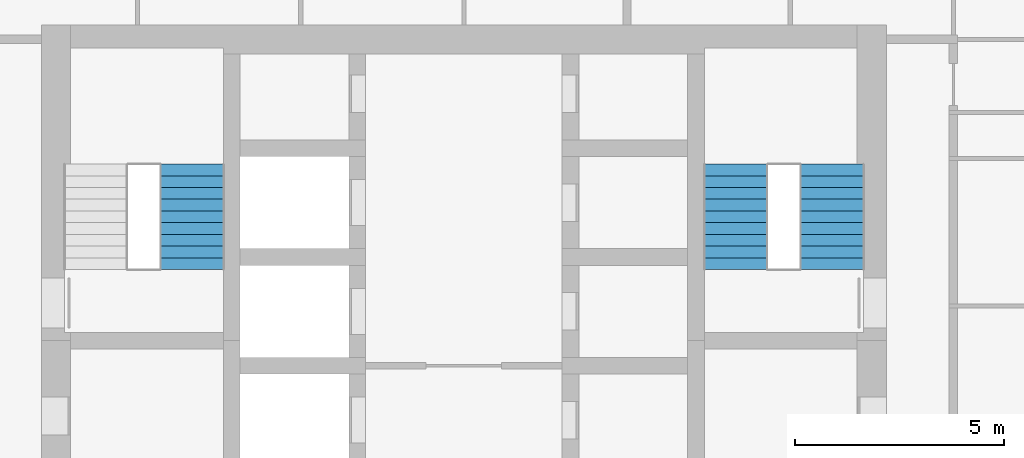
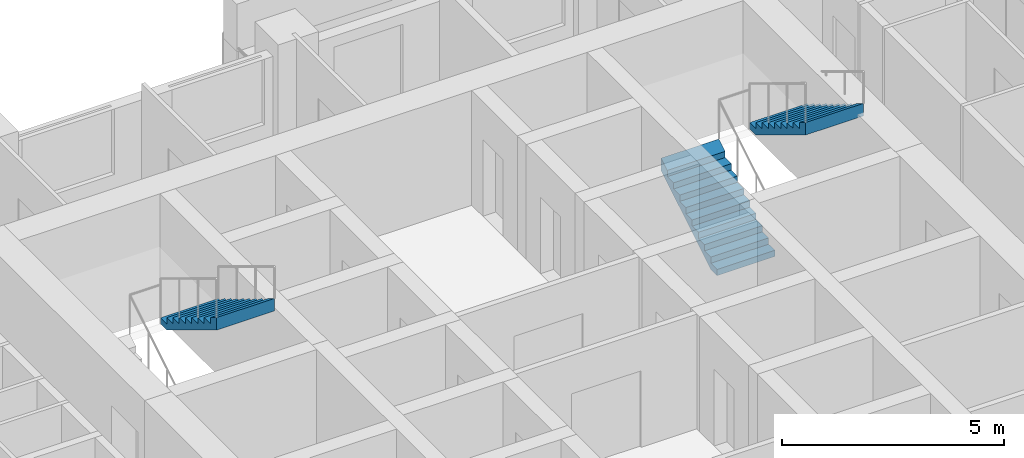
# One storey, part 16 of 18: 3 stair flights, 2 elements without a shape of their own.
"""IFC4 building model written with IfcOpenShell, lengths in metres."""

import ifcopenshell
import ifcopenshell.guid

model = None  # the IFC model being written
_history = None  # IfcOwnerHistory: only IFC2X3 demands one
_inside = {}  # id of a spatial element -> (the spatial element, [elements in it])
_under = {}  # id of a project, library or spatial element -> (it, [spatial elements below it])
_declared = {}  # id of a project -> (the project, [libraries it declares])
_typed = {}  # id of a type object -> (the type object, [elements of that type])
_made_of = {}  # id of a material, layer set ... -> (it, [elements and type objects made of it])


def new_model(schema):
    """Start an empty IFC model of exactly this schema.

    Asked for "IFC4X3", IfcOpenShell would pick the latest addendum, in which some entities
    have other attributes; the version numbers below select the first issue.
    IFC2X3 requires an IfcOwnerHistory on every rooted entity: one is made here for all.
    """
    global model, _history
    if schema == "IFC4X3":
        model = ifcopenshell.file(schema_version=(4, 3, 0, 0))
    else:
        model = ifcopenshell.file(schema=schema)
    _inside.clear()
    _under.clear()
    _declared.clear()
    _typed.clear()
    _made_of.clear()
    _history = None
    if model.schema == "IFC2X3":
        org = make("IfcOrganization", Name="unknown")
        user = make(
            "IfcPersonAndOrganization",
            ThePerson=make("IfcPerson", FamilyName="unknown"),
            TheOrganization=org,
        )
        app = make(
            "IfcApplication",
            ApplicationDeveloper=org,
            Version="unknown",
            ApplicationFullName="unknown",
            ApplicationIdentifier="unknown",
        )
        _history = make(
            "IfcOwnerHistory",
            OwningUser=user,
            OwningApplication=app,
            ChangeAction="ADDED",
            CreationDate=0,
        )
    return model


def make(cls, **values):
    """One entity of the class cls with the attributes given. An attribute that is None is left unset."""
    return model.create_entity(
        cls, **{name: value for name, value in values.items() if value is not None}
    )


def rooted(cls, **values):
    """An entity with a GlobalId (a new one), such as an element, a storey or a relation."""
    return make(cls, GlobalId=ifcopenshell.guid.new(), OwnerHistory=_history, **values)


def si_unit(unit_type, name, prefix=None):
    """IfcSIUnit, for example si_unit("LENGTHUNIT", "METRE", prefix="MILLI")."""
    return make("IfcSIUnit", UnitType=unit_type, Prefix=prefix, Name=name)


def assignment(units):
    """IfcUnitAssignment: the units of a project."""
    return None if units is None else make("IfcUnitAssignment", Units=units)


def point(xyz):
    """IfcCartesianPoint."""
    return None if xyz is None else make("IfcCartesianPoint", Coordinates=xyz)


def direction(xyz):
    """IfcDirection."""
    return None if xyz is None else make("IfcDirection", DirectionRatios=xyz)


def frame(location, z_axis=None, x_axis=None):
    """IfcAxis2Placement3D, a coordinate frame: its origin and axes. An axis left out is left unset."""
    return make(
        "IfcAxis2Placement3D",
        Location=point(location),
        Axis=direction(z_axis),
        RefDirection=direction(x_axis),
    )


def origin():
    """The frame at (0, 0, 0) with its axes left unset."""
    return frame((0.0, 0.0, 0.0))


def place(relative_to, where):
    """IfcLocalPlacement: puts the frame where relative to a parent placement (None: the world)."""
    return make(
        "IfcLocalPlacement", PlacementRelTo=relative_to, RelativePlacement=where
    )


def context(
    kind, dimensions, precision=None, world=None, true_north=None, identifier=None
):
    """IfcGeometricRepresentationContext, for example the 3D "Model" context."""
    return make(
        "IfcGeometricRepresentationContext",
        ContextIdentifier=identifier,
        ContextType=kind,
        CoordinateSpaceDimension=dimensions,
        Precision=precision,
        WorldCoordinateSystem=world,
        TrueNorth=true_north,
    )


def subcontext(parent, identifier, kind, view, scale=None):
    """IfcGeometricRepresentationSubContext, for example "Body" below "Model"."""
    return make(
        "IfcGeometricRepresentationSubContext",
        ContextIdentifier=identifier,
        ContextType=kind,
        ParentContext=parent,
        TargetScale=scale,
        TargetView=view,
    )


def project(units=None, contexts=None):
    """IfcProject with its units and contexts."""
    return rooted(
        "IfcProject",
        Name="project",
        RepresentationContexts=contexts,
        UnitsInContext=assignment(units),
    )


def spatial(cls, under=None, at=None, **own):
    """A site, building, storey or space (cls), placed at a placement, below another one or the project."""
    s = rooted(cls, ObjectPlacement=at, **own)
    if under is not None:
        _under.setdefault(under.id(), (under, []))[1].append(s)
    return s


def point_list(points):
    """IfcCartesianPointList2D or 3D."""
    cls = (
        "IfcCartesianPointList2D" if len(points[0]) == 2 else "IfcCartesianPointList3D"
    )
    return make(cls, CoordList=points)


def triangles(points, corners, closed=None, point_numbers=None):
    """IfcTriangulatedFaceSet: each triangle names its three corners, points numbered from 1."""
    return make(
        "IfcTriangulatedFaceSet",
        Coordinates=point_list(points),
        Closed=closed,
        CoordIndex=corners,
        PnIndex=point_numbers,
    )


def shape(context_of_items, identifier, shape_type, items):
    """IfcShapeRepresentation: the items that make up one representation, for example the "Body"."""
    return make(
        "IfcShapeRepresentation",
        ContextOfItems=context_of_items,
        RepresentationIdentifier=identifier,
        RepresentationType=shape_type,
        Items=items,
    )


def material(Name=None, Category=None):
    """IfcMaterial."""
    return make("IfcMaterial", Name=Name, Category=Category)


def made_of(thing, what):
    """Note that an element or type object is made of a material, layer set ...; save() writes the relation."""
    if what is not None:
        _made_of.setdefault(what.id(), (what, []))[1].append(thing)
    return thing


def type_object(cls, material=None, **own):
    """A type object (cls), such as IfcWallType, which elements share."""
    return made_of(rooted(cls, **own), material)


def element(
    cls,
    number,
    at=None,
    inside=None,
    cuts=None,
    type_object=None,
    material=None,
    context=None,
    identifier="Body",
    shape_type=None,
    held_by="IfcProductDefinitionShape",
    body=None,
    shapes=None,
    **own,
):
    """One element of the class cls, such as IfcWall. Its Tag is "e" and its number.

    at: its placement. inside: the storey or other place that contains it. cuts: it is an
    opening in that element (IfcRelVoidsElement). A single representation is given by context,
    identifier, shape_type and body (its items); several are given by shapes. held_by: the class
    of the entity that holds the representations. save() writes the other relations.
    """
    e = rooted(cls, Tag="e%d" % number, ObjectPlacement=at, **own)
    if body is not None:
        shapes = [shape(context, identifier, shape_type, body)]
    if shapes is not None:
        e.Representation = make(held_by, Representations=shapes)
    if inside is not None:
        _inside.setdefault(inside.id(), (inside, []))[1].append(e)
    if cuts is not None:
        rooted(
            "IfcRelVoidsElement", RelatingBuildingElement=cuts, RelatedOpeningElement=e
        )
    if type_object is not None:
        _typed.setdefault(type_object.id(), (type_object, []))[1].append(e)
    return made_of(e, material)


def aggregate(whole, parts):
    """IfcRelAggregates: a whole, such as a stair, and the parts it consists of."""
    return rooted("IfcRelAggregates", RelatingObject=whole, RelatedObjects=parts)


def save(model, path):
    """Write the relations noted so far, then the file.

    IfcRelAggregates (storeys below a building ...), IfcRelContainedInSpatialStructure (elements
    in a storey), IfcRelDefinesByType, IfcRelAssociatesMaterial and IfcRelDeclares: one each for
    every whole, place, type object, material and project.
    """
    for whole, parts in _under.values():
        aggregate(whole, parts)
    for where, things in _inside.values():
        rooted(
            "IfcRelContainedInSpatialStructure",
            RelatedElements=things,
            RelatingStructure=where,
        )
    for kind, things in _typed.values():
        rooted("IfcRelDefinesByType", RelatedObjects=things, RelatingType=kind)
    for what, things in _made_of.values():
        rooted("IfcRelAssociatesMaterial", RelatedObjects=things, RelatingMaterial=what)
    for by, libraries in _declared.values():
        rooted("IfcRelDeclares", RelatingContext=by, RelatedDefinitions=libraries)
    model.write(path)


model = new_model("IFC4")

# Units and contexts
model_context = context("Model", 3, precision=1e-05, world=origin(), true_north=direction((0.0, 1.0)))
body_context = subcontext(model_context, "Body", "Model", "MODEL_VIEW")
ifc_project = project(units=[si_unit("LENGTHUNIT", "METRE"), si_unit("AREAUNIT", "SQUARE_METRE"), si_unit("VOLUMEUNIT", "CUBIC_METRE"), si_unit("PLANEANGLEUNIT", "RADIAN"), si_unit("MASSUNIT", "GRAM", prefix="KILO")], contexts=[model_context])

# Site, building, storey
site_placement = place(None, origin())
site = spatial("IfcSite", under=ifc_project, at=site_placement, CompositionType="ELEMENT")
building_placement = place(site_placement, origin())
building = spatial("IfcBuilding", under=site, at=building_placement, Name="Ludao Terraces", CompositionType="ELEMENT")
storey_placement = place(building_placement, frame((0.0, 0.0, 29.699951171875)))
storey = spatial("IfcBuildingStorey", under=building, at=storey_placement, Name="L07", CompositionType="ELEMENT", Elevation=29.699951171875)

# Stair, stair flight
ifc_material = material(Name="Concrete C40", Category="concrete")
stair_type = type_object("IfcStairType", Name="INT Stair", PredefinedType="HALF_TURN_STAIR", material=ifc_material)
stair_1_placement = place(storey_placement, origin())
stair_1 = element("IfcStair", 1, at=stair_1_placement, inside=storey, type_object=stair_type, Name="EXIT STAIR 1", PredefinedType="HALF_TURN_STAIR")
stair_flight_type = type_object("IfcStairFlightType", Name="INT Stair flight", PredefinedType="STRAIGHT", material=ifc_material)
stair_flight_1_placement = place(storey_placement, frame((78.5, 81.52001953125, 1.699951171875), z_axis=(0.0, 0.0, 1.0), x_axis=(0.0, -1.0, 0.0)))
stair_flight_1 = element("IfcStairFlight", 2, at=stair_flight_1_placement, type_object=stair_flight_type, Name="ST1 flight 2", NumberOfRisers=10, NumberOfTreads=9, PredefinedType="STRAIGHT", RiserHeight=0.17, TreadLength=0.28, context=body_context, shape_type="Tessellation", body=[
    triangles([(0.0, -0.75, 0.0), (0.0, -0.5, 0.0), (0.0, -0.25, 0.0), (0.0, 0.0, 0.0), (0.0, 0.25, 0.0), (0.0, 0.5, 0.0), (0.0, 0.75, 0.0), (0.0, -0.75, 0.169921875), (0.0, -0.5, 0.169921875), (0.0, -0.25, 0.169921875), (0.0, 0.0, 0.169921875), (0.0, 0.25, 0.169921875), (0.0, 0.5, 0.169921875), (0.0, 0.75, 0.169921875), (0.280029296875, -0.75, 0.169921875), (0.280029296875, -0.5, 0.169921875), (0.280029296875, -0.25, 0.169921875), (0.280029296875, 0.0, 0.169921875), (0.280029296875, 0.25, 0.169921875), (0.280029296875, 0.5, 0.169921875), (0.280029296875, 0.75, 0.169921875), (0.280029296875, -0.75, 0.340087890625), (0.280029296875, -0.5, 0.340087890625), (0.280029296875, -0.25, 0.340087890625), (0.280029296875, 0.0, 0.340087890625), (0.280029296875, 0.25, 0.340087890625), (0.280029296875, 0.5, 0.340087890625), (0.280029296875, 0.75, 0.340087890625), (0.56005859375, -0.75, 0.340087890625), (0.56005859375, -0.5, 0.340087890625), (0.56005859375, -0.25, 0.340087890625), (0.56005859375, 0.0, 0.340087890625), (0.56005859375, 0.25, 0.340087890625), (0.56005859375, 0.5, 0.340087890625), (0.56005859375, 0.75, 0.340087890625), (0.56005859375, -0.75, 0.510009765625), (0.56005859375, -0.5, 0.510009765625), (0.56005859375, -0.25, 0.510009765625), (0.56005859375, 0.0, 0.510009765625), (0.56005859375, 0.25, 0.510009765625), (0.56005859375, 0.5, 0.510009765625), (0.56005859375, 0.75, 0.510009765625), (0.840087890625, -0.75, 0.510009765625), (0.840087890625, -0.5, 0.510009765625), (0.840087890625, -0.25, 0.510009765625), (0.840087890625, 0.0, 0.510009765625), (0.840087890625, 0.25, 0.510009765625), (0.840087890625, 0.5, 0.510009765625), (0.840087890625, 0.75, 0.510009765625), (0.840087890625, -0.75, 0.679931640625), (0.840087890625, -0.5, 0.679931640625), (0.840087890625, -0.25, 0.679931640625), (0.840087890625, 0.0, 0.679931640625), (0.840087890625, 0.25, 0.679931640625), (0.840087890625, 0.5, 0.679931640625), (0.840087890625, 0.75, 0.679931640625), (1.1201171875, -0.75, 0.679931640625), (1.1201171875, -0.5, 0.679931640625), (1.1201171875, -0.25, 0.679931640625), (1.1201171875, 0.0, 0.679931640625), (1.1201171875, 0.25, 0.679931640625), (1.1201171875, 0.5, 0.679931640625), (1.1201171875, 0.75, 0.679931640625), (1.1201171875, -0.75, 0.85009765625), (1.1201171875, -0.5, 0.85009765625), (1.1201171875, -0.25, 0.85009765625), (1.1201171875, 0.0, 0.85009765625), (1.1201171875, 0.25, 0.85009765625), (1.1201171875, 0.5, 0.85009765625), (1.1201171875, 0.75, 0.85009765625), (1.39990234375, -0.75, 0.85009765625), (1.39990234375, -0.5, 0.85009765625), (1.39990234375, -0.25, 0.85009765625), (1.39990234375, 0.0, 0.85009765625), (1.39990234375, 0.25, 0.85009765625), (1.39990234375, 0.5, 0.85009765625), (1.39990234375, 0.75, 0.85009765625), (1.39990234375, -0.75, 1.02001953125), (1.39990234375, -0.5, 1.02001953125), (1.39990234375, -0.25, 1.02001953125), (1.39990234375, 0.0, 1.02001953125), (1.39990234375, 0.25, 1.02001953125), (1.39990234375, 0.5, 1.02001953125), (1.39990234375, 0.75, 1.02001953125), (1.679931640625, -0.75, 1.02001953125), (1.679931640625, -0.5, 1.02001953125), (1.679931640625, -0.25, 1.02001953125), (1.679931640625, 0.0, 1.02001953125), (1.679931640625, 0.25, 1.02001953125), (1.679931640625, 0.5, 1.02001953125), (1.679931640625, 0.75, 1.02001953125), (1.679931640625, -0.75, 1.18994140625), (1.679931640625, -0.5, 1.18994140625), (1.679931640625, -0.25, 1.18994140625), (1.679931640625, 0.0, 1.18994140625), (1.679931640625, 0.25, 1.18994140625), (1.679931640625, 0.5, 1.18994140625), (1.679931640625, 0.75, 1.18994140625), (1.9599609375, -0.75, 1.18994140625), (1.9599609375, -0.5, 1.18994140625), (1.9599609375, -0.25, 1.18994140625), (1.9599609375, 0.0, 1.18994140625), (1.9599609375, 0.25, 1.18994140625), (1.9599609375, 0.5, 1.18994140625), (1.9599609375, 0.75, 1.18994140625), (1.9599609375, -0.75, 1.360107421875), (1.9599609375, -0.5, 1.360107421875), (1.9599609375, -0.25, 1.360107421875), (1.9599609375, 0.0, 1.360107421875), (1.9599609375, 0.25, 1.360107421875), (1.9599609375, 0.5, 1.360107421875), (1.9599609375, 0.75, 1.360107421875), (2.239990234375, -0.75, 1.360107421875), (2.239990234375, -0.5, 1.360107421875), (2.239990234375, -0.25, 1.360107421875), (2.239990234375, 0.0, 1.360107421875), (2.239990234375, 0.25, 1.360107421875), (2.239990234375, 0.5, 1.360107421875), (2.239990234375, 0.75, 1.360107421875), (2.239990234375, -0.75, 1.530029296875), (2.239990234375, -0.5, 1.530029296875), (2.239990234375, -0.25, 1.530029296875), (2.239990234375, 0.0, 1.530029296875), (2.239990234375, 0.25, 1.530029296875), (2.239990234375, 0.5, 1.530029296875), (2.239990234375, 0.75, 1.530029296875), (2.52001953125, -0.75, 1.699951171875), (2.52001953125, -0.5, 1.699951171875), (2.52001953125, -0.25, 1.699951171875), (2.52001953125, 0.0, 1.699951171875), (2.52001953125, 0.25, 1.699951171875), (2.52001953125, 0.5, 1.699951171875), (2.52001953125, 0.75, 1.699951171875), (2.52001953125, -0.75, 1.354736328125), (2.52001953125, -0.5, 1.354736328125), (2.52001953125, -0.25, 1.354736328125), (2.52001953125, 0.0, 1.354736328125), (2.52001953125, 0.25, 1.354736328125), (2.52001953125, 0.5, 1.354736328125), (2.52001953125, 0.75, 1.354736328125), (0.288818359375, -0.75, 0.0), (0.288818359375, -0.5, 0.0), (0.288818359375, -0.25, 0.0), (0.288818359375, 0.0, 0.0), (0.288818359375, 0.25, 0.0), (0.288818359375, 0.5, 0.0), (0.288818359375, 0.75, 0.0)], [[1, 141, 134], [7, 140, 147], [134, 127, 120], [140, 126, 133], [134, 120, 113], [140, 119, 126], [134, 113, 106], [140, 112, 119], [134, 106, 99], [140, 105, 112], [99, 92, 85], [105, 91, 98], [134, 99, 85], [140, 91, 105], [85, 78, 71], [91, 77, 84], [134, 85, 71], [140, 77, 91], [71, 64, 57], [77, 63, 70], [134, 71, 57], [140, 63, 77], [57, 50, 43], [63, 49, 56], [134, 57, 43], [140, 49, 63], [43, 36, 29], [49, 35, 42], [134, 43, 29], [140, 35, 49], [29, 22, 15], [35, 21, 28], [134, 29, 15], [140, 21, 35], [1, 134, 15], [7, 21, 140], [15, 8, 1], [21, 7, 14], [1, 9, 2], [1, 8, 9], [2, 10, 3], [2, 9, 10], [3, 11, 4], [3, 10, 11], [4, 12, 5], [4, 11, 12], [5, 13, 6], [5, 12, 13], [6, 14, 7], [6, 13, 14], [8, 16, 9], [8, 15, 16], [9, 17, 10], [9, 16, 17], [10, 18, 11], [10, 17, 18], [11, 19, 12], [11, 18, 19], [12, 20, 13], [12, 19, 20], [13, 21, 14], [13, 20, 21], [15, 23, 16], [15, 22, 23], [16, 24, 17], [16, 23, 24], [17, 25, 18], [17, 24, 25], [18, 26, 19], [18, 25, 26], [19, 27, 20], [19, 26, 27], [20, 28, 21], [20, 27, 28], [22, 30, 23], [22, 29, 30], [23, 31, 24], [23, 30, 31], [24, 32, 25], [24, 31, 32], [25, 33, 26], [25, 32, 33], [26, 34, 27], [26, 33, 34], [27, 35, 28], [27, 34, 35], [29, 37, 30], [29, 36, 37], [30, 38, 31], [30, 37, 38], [31, 39, 32], [31, 38, 39], [32, 40, 33], [32, 39, 40], [33, 41, 34], [33, 40, 41], [34, 42, 35], [34, 41, 42], [36, 44, 37], [36, 43, 44], [37, 45, 38], [37, 44, 45], [38, 46, 39], [38, 45, 46], [39, 47, 40], [39, 46, 47], [40, 48, 41], [40, 47, 48], [41, 49, 42], [41, 48, 49], [43, 51, 44], [43, 50, 51], [44, 52, 45], [44, 51, 52], [45, 53, 46], [45, 52, 53], [46, 54, 47], [46, 53, 54], [47, 55, 48], [47, 54, 55], [48, 56, 49], [48, 55, 56], [50, 58, 51], [50, 57, 58], [51, 59, 52], [51, 58, 59], [52, 60, 53], [52, 59, 60], [53, 61, 54], [53, 60, 61], [54, 62, 55], [54, 61, 62], [55, 63, 56], [55, 62, 63], [57, 65, 58], [57, 64, 65], [58, 66, 59], [58, 65, 66], [59, 67, 60], [59, 66, 67], [60, 68, 61], [60, 67, 68], [61, 69, 62], [61, 68, 69], [62, 70, 63], [62, 69, 70], [64, 72, 65], [64, 71, 72], [65, 73, 66], [65, 72, 73], [66, 74, 67], [66, 73, 74], [67, 75, 68], [67, 74, 75], [68, 76, 69], [68, 75, 76], [69, 77, 70], [69, 76, 77], [71, 79, 72], [71, 78, 79], [72, 80, 73], [72, 79, 80], [73, 81, 74], [73, 80, 81], [74, 82, 75], [74, 81, 82], [75, 83, 76], [75, 82, 83], [76, 84, 77], [76, 83, 84], [78, 86, 79], [78, 85, 86], [79, 87, 80], [79, 86, 87], [80, 88, 81], [80, 87, 88], [81, 89, 82], [81, 88, 89], [82, 90, 83], [82, 89, 90], [83, 91, 84], [83, 90, 91], [85, 93, 86], [85, 92, 93], [86, 94, 87], [86, 93, 94], [87, 95, 88], [87, 94, 95], [88, 96, 89], [88, 95, 96], [89, 97, 90], [89, 96, 97], [90, 98, 91], [90, 97, 98], [92, 100, 93], [92, 99, 100], [93, 101, 94], [93, 100, 101], [94, 102, 95], [94, 101, 102], [95, 103, 96], [95, 102, 103], [96, 104, 97], [96, 103, 104], [97, 105, 98], [97, 104, 105], [99, 107, 100], [99, 106, 107], [100, 108, 101], [100, 107, 108], [101, 109, 102], [101, 108, 109], [102, 110, 103], [102, 109, 110], [103, 111, 104], [103, 110, 111], [104, 112, 105], [104, 111, 112], [106, 114, 107], [106, 113, 114], [107, 115, 108], [107, 114, 115], [108, 116, 109], [108, 115, 116], [109, 117, 110], [109, 116, 117], [110, 118, 111], [110, 117, 118], [111, 119, 112], [111, 118, 119], [113, 121, 114], [113, 120, 121], [114, 122, 115], [114, 121, 122], [115, 123, 116], [115, 122, 123], [116, 124, 117], [116, 123, 124], [117, 125, 118], [117, 124, 125], [118, 126, 119], [118, 125, 126], [120, 128, 121], [120, 127, 128], [121, 129, 122], [121, 128, 129], [122, 130, 123], [122, 129, 130], [123, 131, 124], [123, 130, 131], [124, 132, 125], [124, 131, 132], [125, 133, 126], [125, 132, 133], [127, 135, 128], [127, 134, 135], [128, 136, 129], [128, 135, 136], [129, 137, 130], [129, 136, 137], [130, 138, 131], [130, 137, 138], [131, 139, 132], [131, 138, 139], [132, 140, 133], [132, 139, 140], [134, 142, 135], [134, 141, 142], [135, 143, 136], [135, 142, 143], [136, 144, 137], [136, 143, 144], [137, 145, 138], [137, 144, 145], [138, 146, 139], [138, 145, 146], [139, 147, 140], [139, 146, 147], [141, 2, 142], [141, 1, 2], [142, 3, 143], [142, 2, 3], [143, 4, 144], [143, 3, 4], [144, 5, 145], [144, 4, 5], [145, 6, 146], [145, 5, 6], [146, 7, 147], [146, 6, 7]], closed=True),
])
aggregate(stair_1, [stair_flight_1])

# Stair, stair flights
stair_2_placement = place(storey_placement, origin())
stair_2 = element("IfcStair", 3, at=stair_2_placement, inside=storey, type_object=stair_type, Name="EXIT STAIR 2", PredefinedType="HALF_TURN_STAIR")
stair_flight_2_placement = place(storey_placement, frame((91.5, 79.0, 0.0), z_axis=(0.0, 0.0, 1.0), x_axis=(0.0, 1.0, 0.0)))
stair_flight_2 = element("IfcStairFlight", 4, at=stair_flight_2_placement, type_object=stair_flight_type, Name="ST2 flight 1", NumberOfRisers=10, NumberOfTreads=9, PredefinedType="STRAIGHT", RiserHeight=0.17, TreadLength=0.28, context=body_context, shape_type="Tessellation", body=[
    triangles([(0.0, -0.75, 0.0), (0.0, -0.5, 0.0), (0.0, -0.25, 0.0), (0.0, 0.0, 0.0), (0.0, 0.25, 0.0), (0.0, 0.5, 0.0), (0.0, 0.75, 0.0), (0.0, -0.75, 0.169921875), (0.0, -0.5, 0.169921875), (0.0, -0.25, 0.169921875), (0.0, 0.0, 0.169921875), (0.0, 0.25, 0.169921875), (0.0, 0.5, 0.169921875), (0.0, 0.75, 0.169921875), (0.280029296875, -0.75, 0.169921875), (0.280029296875, -0.5, 0.169921875), (0.280029296875, -0.25, 0.169921875), (0.280029296875, 0.0, 0.169921875), (0.280029296875, 0.25, 0.169921875), (0.280029296875, 0.5, 0.169921875), (0.280029296875, 0.75, 0.169921875), (0.280029296875, -0.75, 0.340087890625), (0.280029296875, -0.5, 0.340087890625), (0.280029296875, -0.25, 0.340087890625), (0.280029296875, 0.0, 0.340087890625), (0.280029296875, 0.25, 0.340087890625), (0.280029296875, 0.5, 0.340087890625), (0.280029296875, 0.75, 0.340087890625), (0.56005859375, -0.75, 0.340087890625), (0.56005859375, -0.5, 0.340087890625), (0.56005859375, -0.25, 0.340087890625), (0.56005859375, 0.0, 0.340087890625), (0.56005859375, 0.25, 0.340087890625), (0.56005859375, 0.5, 0.340087890625), (0.56005859375, 0.75, 0.340087890625), (0.56005859375, -0.75, 0.510009765625), (0.56005859375, -0.5, 0.510009765625), (0.56005859375, -0.25, 0.510009765625), (0.56005859375, 0.0, 0.510009765625), (0.56005859375, 0.25, 0.510009765625), (0.56005859375, 0.5, 0.510009765625), (0.56005859375, 0.75, 0.510009765625), (0.840087890625, -0.75, 0.510009765625), (0.840087890625, -0.5, 0.510009765625), (0.840087890625, -0.25, 0.510009765625), (0.840087890625, 0.0, 0.510009765625), (0.840087890625, 0.25, 0.510009765625), (0.840087890625, 0.5, 0.510009765625), (0.840087890625, 0.75, 0.510009765625), (0.840087890625, -0.75, 0.679931640625), (0.840087890625, -0.5, 0.679931640625), (0.840087890625, -0.25, 0.679931640625), (0.840087890625, 0.0, 0.679931640625), (0.840087890625, 0.25, 0.679931640625), (0.840087890625, 0.5, 0.679931640625), (0.840087890625, 0.75, 0.679931640625), (1.1201171875, -0.75, 0.679931640625), (1.1201171875, -0.5, 0.679931640625), (1.1201171875, -0.25, 0.679931640625), (1.1201171875, 0.0, 0.679931640625), (1.1201171875, 0.25, 0.679931640625), (1.1201171875, 0.5, 0.679931640625), (1.1201171875, 0.75, 0.679931640625), (1.1201171875, -0.75, 0.85009765625), (1.1201171875, -0.5, 0.85009765625), (1.1201171875, -0.25, 0.85009765625), (1.1201171875, 0.0, 0.85009765625), (1.1201171875, 0.25, 0.85009765625), (1.1201171875, 0.5, 0.85009765625), (1.1201171875, 0.75, 0.85009765625), (1.39990234375, -0.75, 0.85009765625), (1.39990234375, -0.5, 0.85009765625), (1.39990234375, -0.25, 0.85009765625), (1.39990234375, 0.0, 0.85009765625), (1.39990234375, 0.25, 0.85009765625), (1.39990234375, 0.5, 0.85009765625), (1.39990234375, 0.75, 0.85009765625), (1.39990234375, -0.75, 1.02001953125), (1.39990234375, -0.5, 1.02001953125), (1.39990234375, -0.25, 1.02001953125), (1.39990234375, 0.0, 1.02001953125), (1.39990234375, 0.25, 1.02001953125), (1.39990234375, 0.5, 1.02001953125), (1.39990234375, 0.75, 1.02001953125), (1.679931640625, -0.75, 1.02001953125), (1.679931640625, -0.5, 1.02001953125), (1.679931640625, -0.25, 1.02001953125), (1.679931640625, 0.0, 1.02001953125), (1.679931640625, 0.25, 1.02001953125), (1.679931640625, 0.5, 1.02001953125), (1.679931640625, 0.75, 1.02001953125), (1.679931640625, -0.75, 1.18994140625), (1.679931640625, -0.5, 1.18994140625), (1.679931640625, -0.25, 1.18994140625), (1.679931640625, 0.0, 1.18994140625), (1.679931640625, 0.25, 1.18994140625), (1.679931640625, 0.5, 1.18994140625), (1.679931640625, 0.75, 1.18994140625), (1.9599609375, -0.75, 1.18994140625), (1.9599609375, -0.5, 1.18994140625), (1.9599609375, -0.25, 1.18994140625), (1.9599609375, 0.0, 1.18994140625), (1.9599609375, 0.25, 1.18994140625), (1.9599609375, 0.5, 1.18994140625), (1.9599609375, 0.75, 1.18994140625), (1.9599609375, -0.75, 1.360107421875), (1.9599609375, -0.5, 1.360107421875), (1.9599609375, -0.25, 1.360107421875), (1.9599609375, 0.0, 1.360107421875), (1.9599609375, 0.25, 1.360107421875), (1.9599609375, 0.5, 1.360107421875), (1.9599609375, 0.75, 1.360107421875), (2.239990234375, -0.75, 1.360107421875), (2.239990234375, -0.5, 1.360107421875), (2.239990234375, -0.25, 1.360107421875), (2.239990234375, 0.0, 1.360107421875), (2.239990234375, 0.25, 1.360107421875), (2.239990234375, 0.5, 1.360107421875), (2.239990234375, 0.75, 1.360107421875), (2.239990234375, -0.75, 1.530029296875), (2.239990234375, -0.5, 1.530029296875), (2.239990234375, -0.25, 1.530029296875), (2.239990234375, 0.0, 1.530029296875), (2.239990234375, 0.25, 1.530029296875), (2.239990234375, 0.5, 1.530029296875), (2.239990234375, 0.75, 1.530029296875), (2.52001953125, -0.75, 1.699951171875), (2.52001953125, -0.5, 1.699951171875), (2.52001953125, -0.25, 1.699951171875), (2.52001953125, 0.0, 1.699951171875), (2.52001953125, 0.25, 1.699951171875), (2.52001953125, 0.5, 1.699951171875), (2.52001953125, 0.75, 1.699951171875), (2.52001953125, -0.75, 1.354736328125), (2.52001953125, -0.5, 1.354736328125), (2.52001953125, -0.25, 1.354736328125), (2.52001953125, 0.0, 1.354736328125), (2.52001953125, 0.25, 1.354736328125), (2.52001953125, 0.5, 1.354736328125), (2.52001953125, 0.75, 1.354736328125), (0.288818359375, -0.75, 0.0), (0.288818359375, -0.5, 0.0), (0.288818359375, -0.25, 0.0), (0.288818359375, 0.0, 0.0), (0.288818359375, 0.25, 0.0), (0.288818359375, 0.5, 0.0), (0.288818359375, 0.75, 0.0)], [[1, 141, 134], [7, 140, 147], [134, 127, 120], [140, 126, 133], [134, 120, 113], [140, 119, 126], [134, 113, 106], [140, 112, 119], [134, 106, 99], [140, 105, 112], [99, 92, 85], [105, 91, 98], [134, 99, 85], [140, 91, 105], [85, 78, 71], [91, 77, 84], [134, 85, 71], [140, 77, 91], [71, 64, 57], [77, 63, 70], [134, 71, 57], [140, 63, 77], [57, 50, 43], [63, 49, 56], [134, 57, 43], [140, 49, 63], [43, 36, 29], [49, 35, 42], [134, 43, 29], [140, 35, 49], [29, 22, 15], [35, 21, 28], [134, 29, 15], [140, 21, 35], [1, 134, 15], [7, 21, 140], [15, 8, 1], [21, 7, 14], [1, 9, 2], [1, 8, 9], [2, 10, 3], [2, 9, 10], [3, 11, 4], [3, 10, 11], [4, 12, 5], [4, 11, 12], [5, 13, 6], [5, 12, 13], [6, 14, 7], [6, 13, 14], [8, 16, 9], [8, 15, 16], [9, 17, 10], [9, 16, 17], [10, 18, 11], [10, 17, 18], [11, 19, 12], [11, 18, 19], [12, 20, 13], [12, 19, 20], [13, 21, 14], [13, 20, 21], [15, 23, 16], [15, 22, 23], [16, 24, 17], [16, 23, 24], [17, 25, 18], [17, 24, 25], [18, 26, 19], [18, 25, 26], [19, 27, 20], [19, 26, 27], [20, 28, 21], [20, 27, 28], [22, 30, 23], [22, 29, 30], [23, 31, 24], [23, 30, 31], [24, 32, 25], [24, 31, 32], [25, 33, 26], [25, 32, 33], [26, 34, 27], [26, 33, 34], [27, 35, 28], [27, 34, 35], [29, 37, 30], [29, 36, 37], [30, 38, 31], [30, 37, 38], [31, 39, 32], [31, 38, 39], [32, 40, 33], [32, 39, 40], [33, 41, 34], [33, 40, 41], [34, 42, 35], [34, 41, 42], [36, 44, 37], [36, 43, 44], [37, 45, 38], [37, 44, 45], [38, 46, 39], [38, 45, 46], [39, 47, 40], [39, 46, 47], [40, 48, 41], [40, 47, 48], [41, 49, 42], [41, 48, 49], [43, 51, 44], [43, 50, 51], [44, 52, 45], [44, 51, 52], [45, 53, 46], [45, 52, 53], [46, 54, 47], [46, 53, 54], [47, 55, 48], [47, 54, 55], [48, 56, 49], [48, 55, 56], [50, 58, 51], [50, 57, 58], [51, 59, 52], [51, 58, 59], [52, 60, 53], [52, 59, 60], [53, 61, 54], [53, 60, 61], [54, 62, 55], [54, 61, 62], [55, 63, 56], [55, 62, 63], [57, 65, 58], [57, 64, 65], [58, 66, 59], [58, 65, 66], [59, 67, 60], [59, 66, 67], [60, 68, 61], [60, 67, 68], [61, 69, 62], [61, 68, 69], [62, 70, 63], [62, 69, 70], [64, 72, 65], [64, 71, 72], [65, 73, 66], [65, 72, 73], [66, 74, 67], [66, 73, 74], [67, 75, 68], [67, 74, 75], [68, 76, 69], [68, 75, 76], [69, 77, 70], [69, 76, 77], [71, 79, 72], [71, 78, 79], [72, 80, 73], [72, 79, 80], [73, 81, 74], [73, 80, 81], [74, 82, 75], [74, 81, 82], [75, 83, 76], [75, 82, 83], [76, 84, 77], [76, 83, 84], [78, 86, 79], [78, 85, 86], [79, 87, 80], [79, 86, 87], [80, 88, 81], [80, 87, 88], [81, 89, 82], [81, 88, 89], [82, 90, 83], [82, 89, 90], [83, 91, 84], [83, 90, 91], [85, 93, 86], [85, 92, 93], [86, 94, 87], [86, 93, 94], [87, 95, 88], [87, 94, 95], [88, 96, 89], [88, 95, 96], [89, 97, 90], [89, 96, 97], [90, 98, 91], [90, 97, 98], [92, 100, 93], [92, 99, 100], [93, 101, 94], [93, 100, 101], [94, 102, 95], [94, 101, 102], [95, 103, 96], [95, 102, 103], [96, 104, 97], [96, 103, 104], [97, 105, 98], [97, 104, 105], [99, 107, 100], [99, 106, 107], [100, 108, 101], [100, 107, 108], [101, 109, 102], [101, 108, 109], [102, 110, 103], [102, 109, 110], [103, 111, 104], [103, 110, 111], [104, 112, 105], [104, 111, 112], [106, 114, 107], [106, 113, 114], [107, 115, 108], [107, 114, 115], [108, 116, 109], [108, 115, 116], [109, 117, 110], [109, 116, 117], [110, 118, 111], [110, 117, 118], [111, 119, 112], [111, 118, 119], [113, 121, 114], [113, 120, 121], [114, 122, 115], [114, 121, 122], [115, 123, 116], [115, 122, 123], [116, 124, 117], [116, 123, 124], [117, 125, 118], [117, 124, 125], [118, 126, 119], [118, 125, 126], [120, 128, 121], [120, 127, 128], [121, 129, 122], [121, 128, 129], [122, 130, 123], [122, 129, 130], [123, 131, 124], [123, 130, 131], [124, 132, 125], [124, 131, 132], [125, 133, 126], [125, 132, 133], [127, 135, 128], [127, 134, 135], [128, 136, 129], [128, 135, 136], [129, 137, 130], [129, 136, 137], [130, 138, 131], [130, 137, 138], [131, 139, 132], [131, 138, 139], [132, 140, 133], [132, 139, 140], [134, 142, 135], [134, 141, 142], [135, 143, 136], [135, 142, 143], [136, 144, 137], [136, 143, 144], [137, 145, 138], [137, 144, 145], [138, 146, 139], [138, 145, 146], [139, 147, 140], [139, 146, 147], [141, 2, 142], [141, 1, 2], [142, 3, 143], [142, 2, 3], [143, 4, 144], [143, 3, 4], [144, 5, 145], [144, 4, 5], [145, 6, 146], [145, 5, 6], [146, 7, 147], [146, 6, 7]], closed=True),
])
stair_flight_3_placement = place(storey_placement, frame((93.800048828125, 81.52001953125, 1.699951171875), z_axis=(0.0, 0.0, 1.0), x_axis=(0.0, -1.0, 0.0)))
stair_flight_3 = element("IfcStairFlight", 5, at=stair_flight_3_placement, type_object=stair_flight_type, Name="ST2 flight 2", NumberOfRisers=10, NumberOfTreads=9, PredefinedType="STRAIGHT", RiserHeight=0.17, TreadLength=0.28, context=body_context, shape_type="Tessellation", body=[
    triangles([(0.0, -0.75, 0.0), (0.0, -0.5, 0.0), (0.0, -0.25, 0.0), (0.0, 0.0, 0.0), (0.0, 0.25, 0.0), (0.0, 0.5, 0.0), (0.0, 0.75, 0.0), (0.0, -0.75, 0.169921875), (0.0, -0.5, 0.169921875), (0.0, -0.25, 0.169921875), (0.0, 0.0, 0.169921875), (0.0, 0.25, 0.169921875), (0.0, 0.5, 0.169921875), (0.0, 0.75, 0.169921875), (0.280029296875, -0.75, 0.169921875), (0.280029296875, -0.5, 0.169921875), (0.280029296875, -0.25, 0.169921875), (0.280029296875, 0.0, 0.169921875), (0.280029296875, 0.25, 0.169921875), (0.280029296875, 0.5, 0.169921875), (0.280029296875, 0.75, 0.169921875), (0.280029296875, -0.75, 0.340087890625), (0.280029296875, -0.5, 0.340087890625), (0.280029296875, -0.25, 0.340087890625), (0.280029296875, 0.0, 0.340087890625), (0.280029296875, 0.25, 0.340087890625), (0.280029296875, 0.5, 0.340087890625), (0.280029296875, 0.75, 0.340087890625), (0.56005859375, -0.75, 0.340087890625), (0.56005859375, -0.5, 0.340087890625), (0.56005859375, -0.25, 0.340087890625), (0.56005859375, 0.0, 0.340087890625), (0.56005859375, 0.25, 0.340087890625), (0.56005859375, 0.5, 0.340087890625), (0.56005859375, 0.75, 0.340087890625), (0.56005859375, -0.75, 0.510009765625), (0.56005859375, -0.5, 0.510009765625), (0.56005859375, -0.25, 0.510009765625), (0.56005859375, 0.0, 0.510009765625), (0.56005859375, 0.25, 0.510009765625), (0.56005859375, 0.5, 0.510009765625), (0.56005859375, 0.75, 0.510009765625), (0.840087890625, -0.75, 0.510009765625), (0.840087890625, -0.5, 0.510009765625), (0.840087890625, -0.25, 0.510009765625), (0.840087890625, 0.0, 0.510009765625), (0.840087890625, 0.25, 0.510009765625), (0.840087890625, 0.5, 0.510009765625), (0.840087890625, 0.75, 0.510009765625), (0.840087890625, -0.75, 0.679931640625), (0.840087890625, -0.5, 0.679931640625), (0.840087890625, -0.25, 0.679931640625), (0.840087890625, 0.0, 0.679931640625), (0.840087890625, 0.25, 0.679931640625), (0.840087890625, 0.5, 0.679931640625), (0.840087890625, 0.75, 0.679931640625), (1.1201171875, -0.75, 0.679931640625), (1.1201171875, -0.5, 0.679931640625), (1.1201171875, -0.25, 0.679931640625), (1.1201171875, 0.0, 0.679931640625), (1.1201171875, 0.25, 0.679931640625), (1.1201171875, 0.5, 0.679931640625), (1.1201171875, 0.75, 0.679931640625), (1.1201171875, -0.75, 0.85009765625), (1.1201171875, -0.5, 0.85009765625), (1.1201171875, -0.25, 0.85009765625), (1.1201171875, 0.0, 0.85009765625), (1.1201171875, 0.25, 0.85009765625), (1.1201171875, 0.5, 0.85009765625), (1.1201171875, 0.75, 0.85009765625), (1.39990234375, -0.75, 0.85009765625), (1.39990234375, -0.5, 0.85009765625), (1.39990234375, -0.25, 0.85009765625), (1.39990234375, 0.0, 0.85009765625), (1.39990234375, 0.25, 0.85009765625), (1.39990234375, 0.5, 0.85009765625), (1.39990234375, 0.75, 0.85009765625), (1.39990234375, -0.75, 1.02001953125), (1.39990234375, -0.5, 1.02001953125), (1.39990234375, -0.25, 1.02001953125), (1.39990234375, 0.0, 1.02001953125), (1.39990234375, 0.25, 1.02001953125), (1.39990234375, 0.5, 1.02001953125), (1.39990234375, 0.75, 1.02001953125), (1.679931640625, -0.75, 1.02001953125), (1.679931640625, -0.5, 1.02001953125), (1.679931640625, -0.25, 1.02001953125), (1.679931640625, 0.0, 1.02001953125), (1.679931640625, 0.25, 1.02001953125), (1.679931640625, 0.5, 1.02001953125), (1.679931640625, 0.75, 1.02001953125), (1.679931640625, -0.75, 1.18994140625), (1.679931640625, -0.5, 1.18994140625), (1.679931640625, -0.25, 1.18994140625), (1.679931640625, 0.0, 1.18994140625), (1.679931640625, 0.25, 1.18994140625), (1.679931640625, 0.5, 1.18994140625), (1.679931640625, 0.75, 1.18994140625), (1.9599609375, -0.75, 1.18994140625), (1.9599609375, -0.5, 1.18994140625), (1.9599609375, -0.25, 1.18994140625), (1.9599609375, 0.0, 1.18994140625), (1.9599609375, 0.25, 1.18994140625), (1.9599609375, 0.5, 1.18994140625), (1.9599609375, 0.75, 1.18994140625), (1.9599609375, -0.75, 1.360107421875), (1.9599609375, -0.5, 1.360107421875), (1.9599609375, -0.25, 1.360107421875), (1.9599609375, 0.0, 1.360107421875), (1.9599609375, 0.25, 1.360107421875), (1.9599609375, 0.5, 1.360107421875), (1.9599609375, 0.75, 1.360107421875), (2.239990234375, -0.75, 1.360107421875), (2.239990234375, -0.5, 1.360107421875), (2.239990234375, -0.25, 1.360107421875), (2.239990234375, 0.0, 1.360107421875), (2.239990234375, 0.25, 1.360107421875), (2.239990234375, 0.5, 1.360107421875), (2.239990234375, 0.75, 1.360107421875), (2.239990234375, -0.75, 1.530029296875), (2.239990234375, -0.5, 1.530029296875), (2.239990234375, -0.25, 1.530029296875), (2.239990234375, 0.0, 1.530029296875), (2.239990234375, 0.25, 1.530029296875), (2.239990234375, 0.5, 1.530029296875), (2.239990234375, 0.75, 1.530029296875), (2.52001953125, -0.75, 1.699951171875), (2.52001953125, -0.5, 1.699951171875), (2.52001953125, -0.25, 1.699951171875), (2.52001953125, 0.0, 1.699951171875), (2.52001953125, 0.25, 1.699951171875), (2.52001953125, 0.5, 1.699951171875), (2.52001953125, 0.75, 1.699951171875), (2.52001953125, -0.75, 1.354736328125), (2.52001953125, -0.5, 1.354736328125), (2.52001953125, -0.25, 1.354736328125), (2.52001953125, 0.0, 1.354736328125), (2.52001953125, 0.25, 1.354736328125), (2.52001953125, 0.5, 1.354736328125), (2.52001953125, 0.75, 1.354736328125), (0.288818359375, -0.75, 0.0), (0.288818359375, -0.5, 0.0), (0.288818359375, -0.25, 0.0), (0.288818359375, 0.0, 0.0), (0.288818359375, 0.25, 0.0), (0.288818359375, 0.5, 0.0), (0.288818359375, 0.75, 0.0)], [[1, 141, 134], [7, 140, 147], [134, 127, 120], [140, 126, 133], [134, 120, 113], [140, 119, 126], [134, 113, 106], [140, 112, 119], [134, 106, 99], [140, 105, 112], [99, 92, 85], [105, 91, 98], [134, 99, 85], [140, 91, 105], [85, 78, 71], [91, 77, 84], [134, 85, 71], [140, 77, 91], [71, 64, 57], [77, 63, 70], [134, 71, 57], [140, 63, 77], [57, 50, 43], [63, 49, 56], [134, 57, 43], [140, 49, 63], [43, 36, 29], [49, 35, 42], [134, 43, 29], [140, 35, 49], [29, 22, 15], [35, 21, 28], [134, 29, 15], [140, 21, 35], [1, 134, 15], [7, 21, 140], [15, 8, 1], [21, 7, 14], [1, 9, 2], [1, 8, 9], [2, 10, 3], [2, 9, 10], [3, 11, 4], [3, 10, 11], [4, 12, 5], [4, 11, 12], [5, 13, 6], [5, 12, 13], [6, 14, 7], [6, 13, 14], [8, 16, 9], [8, 15, 16], [9, 17, 10], [9, 16, 17], [10, 18, 11], [10, 17, 18], [11, 19, 12], [11, 18, 19], [12, 20, 13], [12, 19, 20], [13, 21, 14], [13, 20, 21], [15, 23, 16], [15, 22, 23], [16, 24, 17], [16, 23, 24], [17, 25, 18], [17, 24, 25], [18, 26, 19], [18, 25, 26], [19, 27, 20], [19, 26, 27], [20, 28, 21], [20, 27, 28], [22, 30, 23], [22, 29, 30], [23, 31, 24], [23, 30, 31], [24, 32, 25], [24, 31, 32], [25, 33, 26], [25, 32, 33], [26, 34, 27], [26, 33, 34], [27, 35, 28], [27, 34, 35], [29, 37, 30], [29, 36, 37], [30, 38, 31], [30, 37, 38], [31, 39, 32], [31, 38, 39], [32, 40, 33], [32, 39, 40], [33, 41, 34], [33, 40, 41], [34, 42, 35], [34, 41, 42], [36, 44, 37], [36, 43, 44], [37, 45, 38], [37, 44, 45], [38, 46, 39], [38, 45, 46], [39, 47, 40], [39, 46, 47], [40, 48, 41], [40, 47, 48], [41, 49, 42], [41, 48, 49], [43, 51, 44], [43, 50, 51], [44, 52, 45], [44, 51, 52], [45, 53, 46], [45, 52, 53], [46, 54, 47], [46, 53, 54], [47, 55, 48], [47, 54, 55], [48, 56, 49], [48, 55, 56], [50, 58, 51], [50, 57, 58], [51, 59, 52], [51, 58, 59], [52, 60, 53], [52, 59, 60], [53, 61, 54], [53, 60, 61], [54, 62, 55], [54, 61, 62], [55, 63, 56], [55, 62, 63], [57, 65, 58], [57, 64, 65], [58, 66, 59], [58, 65, 66], [59, 67, 60], [59, 66, 67], [60, 68, 61], [60, 67, 68], [61, 69, 62], [61, 68, 69], [62, 70, 63], [62, 69, 70], [64, 72, 65], [64, 71, 72], [65, 73, 66], [65, 72, 73], [66, 74, 67], [66, 73, 74], [67, 75, 68], [67, 74, 75], [68, 76, 69], [68, 75, 76], [69, 77, 70], [69, 76, 77], [71, 79, 72], [71, 78, 79], [72, 80, 73], [72, 79, 80], [73, 81, 74], [73, 80, 81], [74, 82, 75], [74, 81, 82], [75, 83, 76], [75, 82, 83], [76, 84, 77], [76, 83, 84], [78, 86, 79], [78, 85, 86], [79, 87, 80], [79, 86, 87], [80, 88, 81], [80, 87, 88], [81, 89, 82], [81, 88, 89], [82, 90, 83], [82, 89, 90], [83, 91, 84], [83, 90, 91], [85, 93, 86], [85, 92, 93], [86, 94, 87], [86, 93, 94], [87, 95, 88], [87, 94, 95], [88, 96, 89], [88, 95, 96], [89, 97, 90], [89, 96, 97], [90, 98, 91], [90, 97, 98], [92, 100, 93], [92, 99, 100], [93, 101, 94], [93, 100, 101], [94, 102, 95], [94, 101, 102], [95, 103, 96], [95, 102, 103], [96, 104, 97], [96, 103, 104], [97, 105, 98], [97, 104, 105], [99, 107, 100], [99, 106, 107], [100, 108, 101], [100, 107, 108], [101, 109, 102], [101, 108, 109], [102, 110, 103], [102, 109, 110], [103, 111, 104], [103, 110, 111], [104, 112, 105], [104, 111, 112], [106, 114, 107], [106, 113, 114], [107, 115, 108], [107, 114, 115], [108, 116, 109], [108, 115, 116], [109, 117, 110], [109, 116, 117], [110, 118, 111], [110, 117, 118], [111, 119, 112], [111, 118, 119], [113, 121, 114], [113, 120, 121], [114, 122, 115], [114, 121, 122], [115, 123, 116], [115, 122, 123], [116, 124, 117], [116, 123, 124], [117, 125, 118], [117, 124, 125], [118, 126, 119], [118, 125, 126], [120, 128, 121], [120, 127, 128], [121, 129, 122], [121, 128, 129], [122, 130, 123], [122, 129, 130], [123, 131, 124], [123, 130, 131], [124, 132, 125], [124, 131, 132], [125, 133, 126], [125, 132, 133], [127, 135, 128], [127, 134, 135], [128, 136, 129], [128, 135, 136], [129, 137, 130], [129, 136, 137], [130, 138, 131], [130, 137, 138], [131, 139, 132], [131, 138, 139], [132, 140, 133], [132, 139, 140], [134, 142, 135], [134, 141, 142], [135, 143, 136], [135, 142, 143], [136, 144, 137], [136, 143, 144], [137, 145, 138], [137, 144, 145], [138, 146, 139], [138, 145, 146], [139, 147, 140], [139, 146, 147], [141, 2, 142], [141, 1, 2], [142, 3, 143], [142, 2, 3], [143, 4, 144], [143, 3, 4], [144, 5, 145], [144, 4, 5], [145, 6, 146], [145, 5, 6], [146, 7, 147], [146, 6, 7]], closed=True),
])
aggregate(stair_2, [stair_flight_2, stair_flight_3])

save(model, "model.ifc")
